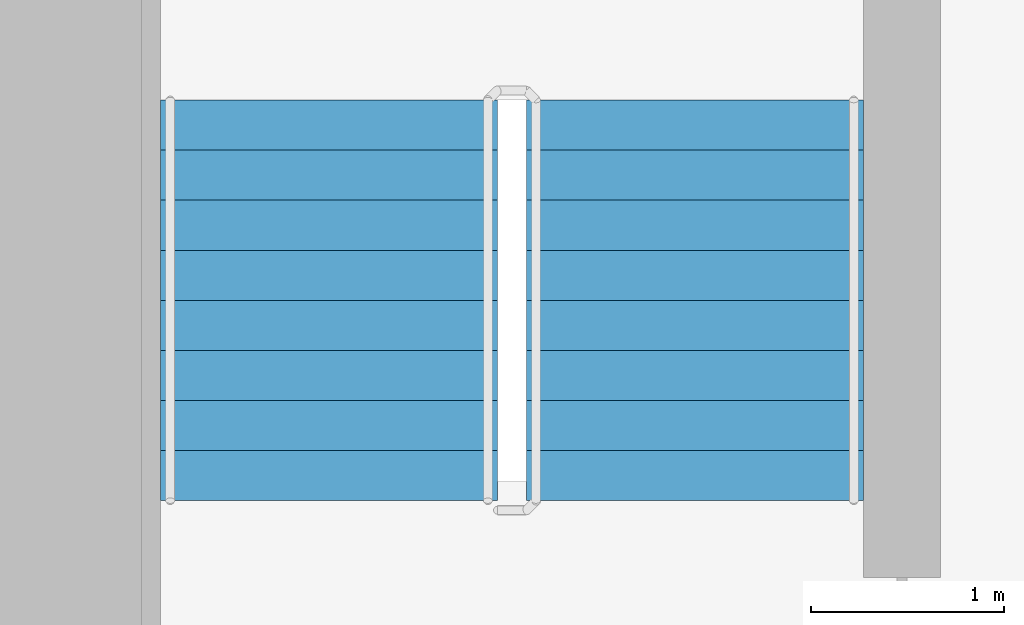
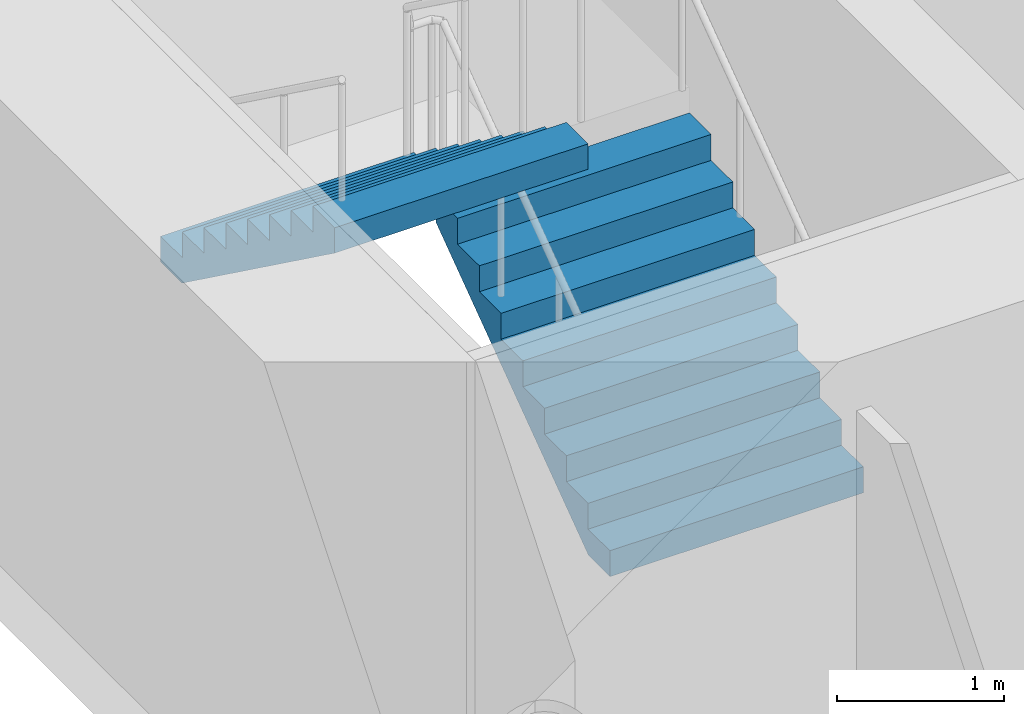
# One storey, part 19 of 21: 2 stair flights, 1 element without a shape of its own.
"""IFC4 building model written with IfcOpenShell, lengths in metres."""

from ifc_helpers import new_model, si_unit, direction, frame, origin, place, context, subcontext, project, spatial, faceted_brep, material, type_object, element, aggregate, save


model = new_model("IFC4")

# Units and contexts
model_context = context("Model", 3, precision=1e-05, world=origin(), true_north=direction((0.0, 1.0)))
body_context = subcontext(model_context, "Body", "Model", "MODEL_VIEW")
ifc_project = project(units=[si_unit("LENGTHUNIT", "METRE"), si_unit("AREAUNIT", "SQUARE_METRE"), si_unit("VOLUMEUNIT", "CUBIC_METRE"), si_unit("PLANEANGLEUNIT", "RADIAN"), si_unit("MASSUNIT", "GRAM", prefix="KILO")], contexts=[model_context])

# Site, building, storey
site_placement = place(None, origin())
site = spatial("IfcSite", under=ifc_project, at=site_placement, CompositionType="ELEMENT")
building_placement = place(site_placement, origin())
building = spatial("IfcBuilding", under=site, at=building_placement, Name="Ipe Terrace Towers", CompositionType="ELEMENT")
storey_placement = place(building_placement, frame((0.0, 0.0, 48.300048828125)))
storey = spatial("IfcBuildingStorey", under=building, at=storey_placement, Name="L12", CompositionType="ELEMENT", Elevation=48.300048828125)

# Stair, stair flights
ifc_material_1 = material(Name="Concrete C30/37", Category="concrete")
stair_type = type_object("IfcStairType", Name="Protected exit stair", PredefinedType="HALF_TURN_STAIR", material=ifc_material_1)
stair_placement = place(storey_placement, origin())
stair = element("IfcStair", 1, at=stair_placement, inside=storey, type_object=stair_type, Name="L12 Exit stair T2-C1", PredefinedType="HALF_TURN_STAIR")
ifc_material_2 = material(Name="Concrete C30/37", Category="concrete")
stair_flight_type = type_object("IfcStairFlightType", Name="Exit stair flight 1750", PredefinedType="STRAIGHT", material=ifc_material_2)
stair_flight_1_placement = place(storey_placement, frame((33.22509765625, 9.699951171875, 0.0), z_axis=(0.0, 0.0, 1.0), x_axis=(0.0, 1.0, 0.0)))
stair_flight_1 = element("IfcStairFlight", 2, at=stair_flight_1_placement, type_object=stair_flight_type, Name="T2-ST1 flight 1", NumberOfRisers=9, NumberOfTreads=8, PredefinedType="STRAIGHT", RiserHeight=0.188888889, TreadLength=0.26, context=body_context, shape_type="Brep", body=[
    faceted_brep([(0.255126953125, -0.875, 0.0), (2.080078125, -0.875, 1.325927734375), (2.080078125, -0.875, 1.51123046875), (1.820068359375, -0.875, 1.51123046875), (1.820068359375, -0.875, 1.322265625), (1.56005859375, -0.875, 1.322265625), (1.56005859375, -0.875, 1.13330078125), (1.300048828125, -0.875, 1.13330078125), (1.300048828125, -0.875, 0.9443359375), (1.0400390625, -0.875, 0.9443359375), (1.0400390625, -0.875, 0.755615234375), (0.780029296875, -0.875, 0.755615234375), (0.780029296875, -0.875, 0.566650390625), (0.52001953125, -0.875, 0.566650390625), (0.52001953125, -0.875, 0.377685546875), (0.260009765625, -0.875, 0.377685546875), (0.260009765625, -0.875, 0.18896484375), (0.0, -0.875, 0.18896484375), (0.0, -0.875, 0.0), (0.0, 0.875, 0.0), (0.0, 0.875, 0.18896484375), (0.260009765625, 0.875, 0.18896484375), (0.260009765625, 0.875, 0.377685546875), (0.52001953125, 0.875, 0.377685546875), (0.52001953125, 0.875, 0.566650390625), (0.780029296875, 0.875, 0.566650390625), (0.780029296875, 0.875, 0.755615234375), (1.0400390625, 0.875, 0.755615234375), (1.0400390625, 0.875, 0.9443359375), (1.300048828125, 0.875, 0.9443359375), (1.300048828125, 0.875, 1.13330078125), (1.56005859375, 0.875, 1.13330078125), (1.56005859375, 0.875, 1.322265625), (1.820068359375, 0.875, 1.322265625), (1.820068359375, 0.875, 1.51123046875), (2.080078125, 0.875, 1.51123046875), (2.080078125, 0.875, 1.325927734375), (0.255126953125, 0.875, 0.0), (0.0, -0.300048828125, 0.18896484375), (0.0, -0.1201171875, 0.18896484375), (0.0, -0.06005859375, 0.18896484375), (0.0, -0.030029296875, 0.18896484375), (0.0, -0.010009765625, 0.18896484375), (0.0, 0.0, 0.18896484375), (0.0, 0.010009765625, 0.18896484375), (0.0, 0.030029296875, 0.18896484375), (0.0, 0.06005859375, 0.18896484375), (0.0, 0.1201171875, 0.18896484375), (0.0, 0.300048828125, 0.18896484375), (0.0, 0.300048828125, 0.0), (0.0, 0.1201171875, 0.0), (0.0, 0.06005859375, 0.0), (0.0, 0.030029296875, 0.0), (0.0, 0.010009765625, 0.0), (0.0, 0.0, 0.0), (0.0, -0.010009765625, 0.0), (0.0, -0.030029296875, 0.0), (0.0, -0.06005859375, 0.0), (0.0, -0.1201171875, 0.0), (0.0, -0.300048828125, 0.0), (0.260009765625, -0.300048828125, 0.18896484375), (0.260009765625, -0.1201171875, 0.18896484375), (0.260009765625, -0.06005859375, 0.18896484375), (0.260009765625, -0.030029296875, 0.18896484375), (0.260009765625, -0.010009765625, 0.18896484375), (0.260009765625, 0.0, 0.18896484375), (0.260009765625, 0.010009765625, 0.18896484375), (0.260009765625, 0.030029296875, 0.18896484375), (0.260009765625, 0.06005859375, 0.18896484375), (0.260009765625, 0.1201171875, 0.18896484375), (0.260009765625, 0.300048828125, 0.18896484375), (0.260009765625, -0.300048828125, 0.377685546875), (0.260009765625, -0.1201171875, 0.377685546875), (0.260009765625, -0.06005859375, 0.377685546875), (0.260009765625, -0.030029296875, 0.377685546875), (0.260009765625, -0.010009765625, 0.377685546875), (0.260009765625, 0.0, 0.377685546875), (0.260009765625, 0.010009765625, 0.377685546875), (0.260009765625, 0.030029296875, 0.377685546875), (0.260009765625, 0.06005859375, 0.377685546875), (0.260009765625, 0.1201171875, 0.377685546875), (0.260009765625, 0.300048828125, 0.377685546875), (0.52001953125, -0.300048828125, 0.377685546875), (0.52001953125, -0.1201171875, 0.377685546875), (0.52001953125, -0.06005859375, 0.377685546875), (0.52001953125, -0.030029296875, 0.377685546875), (0.52001953125, -0.010009765625, 0.377685546875), (0.52001953125, 0.0, 0.377685546875), (0.52001953125, 0.010009765625, 0.377685546875), (0.52001953125, 0.030029296875, 0.377685546875), (0.52001953125, 0.06005859375, 0.377685546875), (0.52001953125, 0.1201171875, 0.377685546875), (0.52001953125, 0.300048828125, 0.377685546875), (0.52001953125, -0.300048828125, 0.566650390625), (0.52001953125, -0.1201171875, 0.566650390625), (0.52001953125, -0.06005859375, 0.566650390625), (0.52001953125, -0.030029296875, 0.566650390625), (0.52001953125, -0.010009765625, 0.566650390625), (0.52001953125, 0.0, 0.566650390625), (0.52001953125, 0.010009765625, 0.566650390625), (0.52001953125, 0.030029296875, 0.566650390625), (0.52001953125, 0.06005859375, 0.566650390625), (0.52001953125, 0.1201171875, 0.566650390625), (0.52001953125, 0.300048828125, 0.566650390625), (0.780029296875, -0.300048828125, 0.566650390625), (0.780029296875, -0.1201171875, 0.566650390625), (0.780029296875, -0.06005859375, 0.566650390625), (0.780029296875, -0.030029296875, 0.566650390625), (0.780029296875, -0.010009765625, 0.566650390625), (0.780029296875, 0.0, 0.566650390625), (0.780029296875, 0.010009765625, 0.566650390625), (0.780029296875, 0.030029296875, 0.566650390625), (0.780029296875, 0.06005859375, 0.566650390625), (0.780029296875, 0.1201171875, 0.566650390625), (0.780029296875, 0.300048828125, 0.566650390625), (0.780029296875, -0.300048828125, 0.755615234375), (0.780029296875, -0.1201171875, 0.755615234375), (0.780029296875, -0.06005859375, 0.755615234375), (0.780029296875, -0.030029296875, 0.755615234375), (0.780029296875, -0.010009765625, 0.755615234375), (0.780029296875, 0.0, 0.755615234375), (0.780029296875, 0.010009765625, 0.755615234375), (0.780029296875, 0.030029296875, 0.755615234375), (0.780029296875, 0.06005859375, 0.755615234375), (0.780029296875, 0.1201171875, 0.755615234375), (0.780029296875, 0.300048828125, 0.755615234375), (1.0400390625, -0.300048828125, 0.755615234375), (1.0400390625, -0.1201171875, 0.755615234375), (1.0400390625, -0.06005859375, 0.755615234375), (1.0400390625, -0.030029296875, 0.755615234375), (1.0400390625, -0.010009765625, 0.755615234375), (1.0400390625, 0.0, 0.755615234375), (1.0400390625, 0.010009765625, 0.755615234375), (1.0400390625, 0.030029296875, 0.755615234375), (1.0400390625, 0.06005859375, 0.755615234375), (1.0400390625, 0.1201171875, 0.755615234375), (1.0400390625, 0.300048828125, 0.755615234375), (1.0400390625, -0.300048828125, 0.9443359375), (1.0400390625, -0.1201171875, 0.9443359375), (1.0400390625, -0.06005859375, 0.9443359375), (1.0400390625, -0.030029296875, 0.9443359375), (1.0400390625, -0.010009765625, 0.9443359375), (1.0400390625, 0.0, 0.9443359375), (1.0400390625, 0.010009765625, 0.9443359375), (1.0400390625, 0.030029296875, 0.9443359375), (1.0400390625, 0.06005859375, 0.9443359375), (1.0400390625, 0.1201171875, 0.9443359375), (1.0400390625, 0.300048828125, 0.9443359375), (1.300048828125, -0.300048828125, 0.9443359375), (1.300048828125, -0.1201171875, 0.9443359375), (1.300048828125, -0.06005859375, 0.9443359375), (1.300048828125, -0.030029296875, 0.9443359375), (1.300048828125, -0.010009765625, 0.9443359375), (1.300048828125, 0.0, 0.9443359375), (1.300048828125, 0.010009765625, 0.9443359375), (1.300048828125, 0.030029296875, 0.9443359375), (1.300048828125, 0.06005859375, 0.9443359375), (1.300048828125, 0.1201171875, 0.9443359375), (1.300048828125, 0.300048828125, 0.9443359375), (1.300048828125, -0.300048828125, 1.13330078125), (1.300048828125, -0.1201171875, 1.13330078125), (1.300048828125, -0.06005859375, 1.13330078125), (1.300048828125, -0.030029296875, 1.13330078125), (1.300048828125, -0.010009765625, 1.13330078125), (1.300048828125, 0.0, 1.13330078125), (1.300048828125, 0.010009765625, 1.13330078125), (1.300048828125, 0.030029296875, 1.13330078125), (1.300048828125, 0.06005859375, 1.13330078125), (1.300048828125, 0.1201171875, 1.13330078125), (1.300048828125, 0.300048828125, 1.13330078125), (1.56005859375, -0.300048828125, 1.13330078125), (1.56005859375, -0.1201171875, 1.13330078125), (1.56005859375, -0.06005859375, 1.13330078125), (1.56005859375, -0.030029296875, 1.13330078125), (1.56005859375, -0.010009765625, 1.13330078125), (1.56005859375, 0.0, 1.13330078125), (1.56005859375, 0.010009765625, 1.13330078125), (1.56005859375, 0.030029296875, 1.13330078125), (1.56005859375, 0.06005859375, 1.13330078125), (1.56005859375, 0.1201171875, 1.13330078125), (1.56005859375, 0.300048828125, 1.13330078125), (1.56005859375, -0.300048828125, 1.322265625), (1.56005859375, -0.1201171875, 1.322265625), (1.56005859375, -0.06005859375, 1.322265625), (1.56005859375, -0.030029296875, 1.322265625), (1.56005859375, -0.010009765625, 1.322265625), (1.56005859375, 0.0, 1.322265625), (1.56005859375, 0.010009765625, 1.322265625), (1.56005859375, 0.030029296875, 1.322265625), (1.56005859375, 0.06005859375, 1.322265625), (1.56005859375, 0.1201171875, 1.322265625), (1.56005859375, 0.300048828125, 1.322265625), (1.820068359375, -0.300048828125, 1.322265625), (1.820068359375, -0.1201171875, 1.322265625), (1.820068359375, -0.06005859375, 1.322265625), (1.820068359375, -0.030029296875, 1.322265625), (1.820068359375, -0.010009765625, 1.322265625), (1.820068359375, 0.0, 1.322265625), (1.820068359375, 0.010009765625, 1.322265625), (1.820068359375, 0.030029296875, 1.322265625), (1.820068359375, 0.06005859375, 1.322265625), (1.820068359375, 0.1201171875, 1.322265625), (1.820068359375, 0.300048828125, 1.322265625), (1.820068359375, -0.300048828125, 1.51123046875), (1.820068359375, -0.1201171875, 1.51123046875), (1.820068359375, -0.06005859375, 1.51123046875), (1.820068359375, -0.030029296875, 1.51123046875), (1.820068359375, -0.010009765625, 1.51123046875), (1.820068359375, 0.0, 1.51123046875), (1.820068359375, 0.010009765625, 1.51123046875), (1.820068359375, 0.030029296875, 1.51123046875), (1.820068359375, 0.06005859375, 1.51123046875), (1.820068359375, 0.1201171875, 1.51123046875), (1.820068359375, 0.300048828125, 1.51123046875), (2.080078125, -0.300048828125, 1.51123046875), (2.080078125, -0.1201171875, 1.51123046875), (2.080078125, -0.06005859375, 1.51123046875), (2.080078125, -0.030029296875, 1.51123046875), (2.080078125, -0.010009765625, 1.51123046875), (2.080078125, 0.0, 1.51123046875), (2.080078125, 0.010009765625, 1.51123046875), (2.080078125, 0.030029296875, 1.51123046875), (2.080078125, 0.06005859375, 1.51123046875), (2.080078125, 0.1201171875, 1.51123046875), (2.080078125, 0.300048828125, 1.51123046875), (2.080078125, -0.300048828125, 1.325927734375), (2.080078125, -0.1201171875, 1.325927734375), (2.080078125, -0.06005859375, 1.325927734375), (2.080078125, -0.030029296875, 1.325927734375), (2.080078125, -0.010009765625, 1.325927734375), (2.080078125, 0.0, 1.325927734375), (2.080078125, 0.010009765625, 1.325927734375), (2.080078125, 0.030029296875, 1.325927734375), (2.080078125, 0.06005859375, 1.325927734375), (2.080078125, 0.1201171875, 1.325927734375), (2.080078125, 0.300048828125, 1.325927734375), (0.255126953125, -0.300048828125, 0.0), (0.255126953125, -0.1201171875, 0.0), (0.255126953125, -0.06005859375, 0.0), (0.255126953125, -0.030029296875, 0.0), (0.255126953125, -0.010009765625, 0.0), (0.255126953125, 0.0, 0.0), (0.255126953125, 0.010009765625, 0.0), (0.255126953125, 0.030029296875, 0.0), (0.255126953125, 0.06005859375, 0.0), (0.255126953125, 0.1201171875, 0.0), (0.255126953125, 0.300048828125, 0.0)], [[[0, 1, 2, 3, 4, 5, 6, 7, 8, 9, 10, 11, 12, 13, 14, 15, 16, 17, 18]], [[19, 20, 21, 22, 23, 24, 25, 26, 27, 28, 29, 30, 31, 32, 33, 34, 35, 36, 37]], [[17, 38, 39, 40, 41, 42, 43, 44, 45, 46, 47, 48, 20, 19, 49, 50, 51, 52, 53, 54, 55, 56, 57, 58, 59, 18]], [[16, 60, 61, 62, 63, 64, 65, 66, 67, 68, 69, 70, 21, 20, 48, 47, 46, 45, 44, 43, 42, 41, 40, 39, 38, 17]], [[15, 71, 72, 73, 74, 75, 76, 77, 78, 79, 80, 81, 22, 21, 70, 69, 68, 67, 66, 65, 64, 63, 62, 61, 60, 16]], [[14, 82, 83, 84, 85, 86, 87, 88, 89, 90, 91, 92, 23, 22, 81, 80, 79, 78, 77, 76, 75, 74, 73, 72, 71, 15]], [[13, 93, 94, 95, 96, 97, 98, 99, 100, 101, 102, 103, 24, 23, 92, 91, 90, 89, 88, 87, 86, 85, 84, 83, 82, 14]], [[12, 104, 105, 106, 107, 108, 109, 110, 111, 112, 113, 114, 25, 24, 103, 102, 101, 100, 99, 98, 97, 96, 95, 94, 93, 13]], [[11, 115, 116, 117, 118, 119, 120, 121, 122, 123, 124, 125, 26, 25, 114, 113, 112, 111, 110, 109, 108, 107, 106, 105, 104, 12]], [[10, 126, 127, 128, 129, 130, 131, 132, 133, 134, 135, 136, 27, 26, 125, 124, 123, 122, 121, 120, 119, 118, 117, 116, 115, 11]], [[9, 137, 138, 139, 140, 141, 142, 143, 144, 145, 146, 147, 28, 27, 136, 135, 134, 133, 132, 131, 130, 129, 128, 127, 126, 10]], [[8, 148, 149, 150, 151, 152, 153, 154, 155, 156, 157, 158, 29, 28, 147, 146, 145, 144, 143, 142, 141, 140, 139, 138, 137, 9]], [[7, 159, 160, 161, 162, 163, 164, 165, 166, 167, 168, 169, 30, 29, 158, 157, 156, 155, 154, 153, 152, 151, 150, 149, 148, 8]], [[6, 170, 171, 172, 173, 174, 175, 176, 177, 178, 179, 180, 31, 30, 169, 168, 167, 166, 165, 164, 163, 162, 161, 160, 159, 7]], [[5, 181, 182, 183, 184, 185, 186, 187, 188, 189, 190, 191, 32, 31, 180, 179, 178, 177, 176, 175, 174, 173, 172, 171, 170, 6]], [[4, 192, 193, 194, 195, 196, 197, 198, 199, 200, 201, 202, 33, 32, 191, 190, 189, 188, 187, 186, 185, 184, 183, 182, 181, 5]], [[3, 203, 204, 205, 206, 207, 208, 209, 210, 211, 212, 213, 34, 33, 202, 201, 200, 199, 198, 197, 196, 195, 194, 193, 192, 4]], [[2, 214, 215, 216, 217, 218, 219, 220, 221, 222, 223, 224, 35, 34, 213, 212, 211, 210, 209, 208, 207, 206, 205, 204, 203, 3]], [[1, 225, 226, 227, 228, 229, 230, 231, 232, 233, 234, 235, 36, 35, 224, 223, 222, 221, 220, 219, 218, 217, 216, 215, 214, 2]], [[0, 236, 237, 238, 239, 240, 241, 242, 243, 244, 245, 246, 37, 36, 235, 234, 233, 232, 231, 230, 229, 228, 227, 226, 225, 1]], [[18, 59, 58, 57, 56, 55, 54, 53, 52, 51, 50, 49, 19, 37, 246, 245, 244, 243, 242, 241, 240, 239, 238, 237, 236, 0]]]),
])
stair_flight_2_placement = place(storey_placement, frame((31.324951171875, 11.780029296875, 1.699951171875), z_axis=(0.0, 0.0, 1.0), x_axis=(0.0, -1.0, 0.0)))
stair_flight_2 = element("IfcStairFlight", 3, at=stair_flight_2_placement, type_object=stair_flight_type, Name="T2-ST1 flight 2", NumberOfRisers=9, NumberOfTreads=8, PredefinedType="STRAIGHT", RiserHeight=0.188888889, TreadLength=0.26, context=body_context, shape_type="Brep", body=[
    faceted_brep([(0.255126953125, -0.875, 0.0), (2.080078125, -0.875, 1.325927734375), (2.080078125, -0.875, 1.51123046875), (1.820068359375, -0.875, 1.51123046875), (1.820068359375, -0.875, 1.322265625), (1.56005859375, -0.875, 1.322265625), (1.56005859375, -0.875, 1.13330078125), (1.300048828125, -0.875, 1.13330078125), (1.300048828125, -0.875, 0.9443359375), (1.0400390625, -0.875, 0.9443359375), (1.0400390625, -0.875, 0.755615234375), (0.780029296875, -0.875, 0.755615234375), (0.780029296875, -0.875, 0.566650390625), (0.52001953125, -0.875, 0.566650390625), (0.52001953125, -0.875, 0.377685546875), (0.260009765625, -0.875, 0.377685546875), (0.260009765625, -0.875, 0.18896484375), (0.0, -0.875, 0.18896484375), (0.0, -0.875, 0.0), (0.0, 0.875, 0.0), (0.0, 0.875, 0.18896484375), (0.260009765625, 0.875, 0.18896484375), (0.260009765625, 0.875, 0.377685546875), (0.52001953125, 0.875, 0.377685546875), (0.52001953125, 0.875, 0.566650390625), (0.780029296875, 0.875, 0.566650390625), (0.780029296875, 0.875, 0.755615234375), (1.0400390625, 0.875, 0.755615234375), (1.0400390625, 0.875, 0.9443359375), (1.300048828125, 0.875, 0.9443359375), (1.300048828125, 0.875, 1.13330078125), (1.56005859375, 0.875, 1.13330078125), (1.56005859375, 0.875, 1.322265625), (1.820068359375, 0.875, 1.322265625), (1.820068359375, 0.875, 1.51123046875), (2.080078125, 0.875, 1.51123046875), (2.080078125, 0.875, 1.325927734375), (0.255126953125, 0.875, 0.0), (0.0, -0.300048828125, 0.18896484375), (0.0, -0.1201171875, 0.18896484375), (0.0, -0.06005859375, 0.18896484375), (0.0, -0.030029296875, 0.18896484375), (0.0, -0.010009765625, 0.18896484375), (0.0, 0.0, 0.18896484375), (0.0, 0.010009765625, 0.18896484375), (0.0, 0.030029296875, 0.18896484375), (0.0, 0.06005859375, 0.18896484375), (0.0, 0.1201171875, 0.18896484375), (0.0, 0.300048828125, 0.18896484375), (0.0, 0.300048828125, 0.0), (0.0, 0.1201171875, 0.0), (0.0, 0.06005859375, 0.0), (0.0, 0.030029296875, 0.0), (0.0, 0.010009765625, 0.0), (0.0, 0.0, 0.0), (0.0, -0.010009765625, 0.0), (0.0, -0.030029296875, 0.0), (0.0, -0.06005859375, 0.0), (0.0, -0.1201171875, 0.0), (0.0, -0.300048828125, 0.0), (0.260009765625, -0.300048828125, 0.18896484375), (0.260009765625, -0.1201171875, 0.18896484375), (0.260009765625, -0.06005859375, 0.18896484375), (0.260009765625, -0.030029296875, 0.18896484375), (0.260009765625, -0.010009765625, 0.18896484375), (0.260009765625, 0.0, 0.18896484375), (0.260009765625, 0.010009765625, 0.18896484375), (0.260009765625, 0.030029296875, 0.18896484375), (0.260009765625, 0.06005859375, 0.18896484375), (0.260009765625, 0.1201171875, 0.18896484375), (0.260009765625, 0.300048828125, 0.18896484375), (0.260009765625, -0.300048828125, 0.377685546875), (0.260009765625, -0.1201171875, 0.377685546875), (0.260009765625, -0.06005859375, 0.377685546875), (0.260009765625, -0.030029296875, 0.377685546875), (0.260009765625, -0.010009765625, 0.377685546875), (0.260009765625, 0.0, 0.377685546875), (0.260009765625, 0.010009765625, 0.377685546875), (0.260009765625, 0.030029296875, 0.377685546875), (0.260009765625, 0.06005859375, 0.377685546875), (0.260009765625, 0.1201171875, 0.377685546875), (0.260009765625, 0.300048828125, 0.377685546875), (0.52001953125, -0.300048828125, 0.377685546875), (0.52001953125, -0.1201171875, 0.377685546875), (0.52001953125, -0.06005859375, 0.377685546875), (0.52001953125, -0.030029296875, 0.377685546875), (0.52001953125, -0.010009765625, 0.377685546875), (0.52001953125, 0.0, 0.377685546875), (0.52001953125, 0.010009765625, 0.377685546875), (0.52001953125, 0.030029296875, 0.377685546875), (0.52001953125, 0.06005859375, 0.377685546875), (0.52001953125, 0.1201171875, 0.377685546875), (0.52001953125, 0.300048828125, 0.377685546875), (0.52001953125, -0.300048828125, 0.566650390625), (0.52001953125, -0.1201171875, 0.566650390625), (0.52001953125, -0.06005859375, 0.566650390625), (0.52001953125, -0.030029296875, 0.566650390625), (0.52001953125, -0.010009765625, 0.566650390625), (0.52001953125, 0.0, 0.566650390625), (0.52001953125, 0.010009765625, 0.566650390625), (0.52001953125, 0.030029296875, 0.566650390625), (0.52001953125, 0.06005859375, 0.566650390625), (0.52001953125, 0.1201171875, 0.566650390625), (0.52001953125, 0.300048828125, 0.566650390625), (0.780029296875, -0.300048828125, 0.566650390625), (0.780029296875, -0.1201171875, 0.566650390625), (0.780029296875, -0.06005859375, 0.566650390625), (0.780029296875, -0.030029296875, 0.566650390625), (0.780029296875, -0.010009765625, 0.566650390625), (0.780029296875, 0.0, 0.566650390625), (0.780029296875, 0.010009765625, 0.566650390625), (0.780029296875, 0.030029296875, 0.566650390625), (0.780029296875, 0.06005859375, 0.566650390625), (0.780029296875, 0.1201171875, 0.566650390625), (0.780029296875, 0.300048828125, 0.566650390625), (0.780029296875, -0.300048828125, 0.755615234375), (0.780029296875, -0.1201171875, 0.755615234375), (0.780029296875, -0.06005859375, 0.755615234375), (0.780029296875, -0.030029296875, 0.755615234375), (0.780029296875, -0.010009765625, 0.755615234375), (0.780029296875, 0.0, 0.755615234375), (0.780029296875, 0.010009765625, 0.755615234375), (0.780029296875, 0.030029296875, 0.755615234375), (0.780029296875, 0.06005859375, 0.755615234375), (0.780029296875, 0.1201171875, 0.755615234375), (0.780029296875, 0.300048828125, 0.755615234375), (1.0400390625, -0.300048828125, 0.755615234375), (1.0400390625, -0.1201171875, 0.755615234375), (1.0400390625, -0.06005859375, 0.755615234375), (1.0400390625, -0.030029296875, 0.755615234375), (1.0400390625, -0.010009765625, 0.755615234375), (1.0400390625, 0.0, 0.755615234375), (1.0400390625, 0.010009765625, 0.755615234375), (1.0400390625, 0.030029296875, 0.755615234375), (1.0400390625, 0.06005859375, 0.755615234375), (1.0400390625, 0.1201171875, 0.755615234375), (1.0400390625, 0.300048828125, 0.755615234375), (1.0400390625, -0.300048828125, 0.9443359375), (1.0400390625, -0.1201171875, 0.9443359375), (1.0400390625, -0.06005859375, 0.9443359375), (1.0400390625, -0.030029296875, 0.9443359375), (1.0400390625, -0.010009765625, 0.9443359375), (1.0400390625, 0.0, 0.9443359375), (1.0400390625, 0.010009765625, 0.9443359375), (1.0400390625, 0.030029296875, 0.9443359375), (1.0400390625, 0.06005859375, 0.9443359375), (1.0400390625, 0.1201171875, 0.9443359375), (1.0400390625, 0.300048828125, 0.9443359375), (1.300048828125, -0.300048828125, 0.9443359375), (1.300048828125, -0.1201171875, 0.9443359375), (1.300048828125, -0.06005859375, 0.9443359375), (1.300048828125, -0.030029296875, 0.9443359375), (1.300048828125, -0.010009765625, 0.9443359375), (1.300048828125, 0.0, 0.9443359375), (1.300048828125, 0.010009765625, 0.9443359375), (1.300048828125, 0.030029296875, 0.9443359375), (1.300048828125, 0.06005859375, 0.9443359375), (1.300048828125, 0.1201171875, 0.9443359375), (1.300048828125, 0.300048828125, 0.9443359375), (1.300048828125, -0.300048828125, 1.13330078125), (1.300048828125, -0.1201171875, 1.13330078125), (1.300048828125, -0.06005859375, 1.13330078125), (1.300048828125, -0.030029296875, 1.13330078125), (1.300048828125, -0.010009765625, 1.13330078125), (1.300048828125, 0.0, 1.13330078125), (1.300048828125, 0.010009765625, 1.13330078125), (1.300048828125, 0.030029296875, 1.13330078125), (1.300048828125, 0.06005859375, 1.13330078125), (1.300048828125, 0.1201171875, 1.13330078125), (1.300048828125, 0.300048828125, 1.13330078125), (1.56005859375, -0.300048828125, 1.13330078125), (1.56005859375, -0.1201171875, 1.13330078125), (1.56005859375, -0.06005859375, 1.13330078125), (1.56005859375, -0.030029296875, 1.13330078125), (1.56005859375, -0.010009765625, 1.13330078125), (1.56005859375, 0.0, 1.13330078125), (1.56005859375, 0.010009765625, 1.13330078125), (1.56005859375, 0.030029296875, 1.13330078125), (1.56005859375, 0.06005859375, 1.13330078125), (1.56005859375, 0.1201171875, 1.13330078125), (1.56005859375, 0.300048828125, 1.13330078125), (1.56005859375, -0.300048828125, 1.322265625), (1.56005859375, -0.1201171875, 1.322265625), (1.56005859375, -0.06005859375, 1.322265625), (1.56005859375, -0.030029296875, 1.322265625), (1.56005859375, -0.010009765625, 1.322265625), (1.56005859375, 0.0, 1.322265625), (1.56005859375, 0.010009765625, 1.322265625), (1.56005859375, 0.030029296875, 1.322265625), (1.56005859375, 0.06005859375, 1.322265625), (1.56005859375, 0.1201171875, 1.322265625), (1.56005859375, 0.300048828125, 1.322265625), (1.820068359375, -0.300048828125, 1.322265625), (1.820068359375, -0.1201171875, 1.322265625), (1.820068359375, -0.06005859375, 1.322265625), (1.820068359375, -0.030029296875, 1.322265625), (1.820068359375, -0.010009765625, 1.322265625), (1.820068359375, 0.0, 1.322265625), (1.820068359375, 0.010009765625, 1.322265625), (1.820068359375, 0.030029296875, 1.322265625), (1.820068359375, 0.06005859375, 1.322265625), (1.820068359375, 0.1201171875, 1.322265625), (1.820068359375, 0.300048828125, 1.322265625), (1.820068359375, -0.300048828125, 1.51123046875), (1.820068359375, -0.1201171875, 1.51123046875), (1.820068359375, -0.06005859375, 1.51123046875), (1.820068359375, -0.030029296875, 1.51123046875), (1.820068359375, -0.010009765625, 1.51123046875), (1.820068359375, 0.0, 1.51123046875), (1.820068359375, 0.010009765625, 1.51123046875), (1.820068359375, 0.030029296875, 1.51123046875), (1.820068359375, 0.06005859375, 1.51123046875), (1.820068359375, 0.1201171875, 1.51123046875), (1.820068359375, 0.300048828125, 1.51123046875), (2.080078125, -0.300048828125, 1.51123046875), (2.080078125, -0.1201171875, 1.51123046875), (2.080078125, -0.06005859375, 1.51123046875), (2.080078125, -0.030029296875, 1.51123046875), (2.080078125, -0.010009765625, 1.51123046875), (2.080078125, 0.0, 1.51123046875), (2.080078125, 0.010009765625, 1.51123046875), (2.080078125, 0.030029296875, 1.51123046875), (2.080078125, 0.06005859375, 1.51123046875), (2.080078125, 0.1201171875, 1.51123046875), (2.080078125, 0.300048828125, 1.51123046875), (2.080078125, -0.300048828125, 1.325927734375), (2.080078125, -0.1201171875, 1.325927734375), (2.080078125, -0.06005859375, 1.325927734375), (2.080078125, -0.030029296875, 1.325927734375), (2.080078125, -0.010009765625, 1.325927734375), (2.080078125, 0.0, 1.325927734375), (2.080078125, 0.010009765625, 1.325927734375), (2.080078125, 0.030029296875, 1.325927734375), (2.080078125, 0.06005859375, 1.325927734375), (2.080078125, 0.1201171875, 1.325927734375), (2.080078125, 0.300048828125, 1.325927734375), (0.255126953125, -0.300048828125, 0.0), (0.255126953125, -0.1201171875, 0.0), (0.255126953125, -0.06005859375, 0.0), (0.255126953125, -0.030029296875, 0.0), (0.255126953125, -0.010009765625, 0.0), (0.255126953125, 0.0, 0.0), (0.255126953125, 0.010009765625, 0.0), (0.255126953125, 0.030029296875, 0.0), (0.255126953125, 0.06005859375, 0.0), (0.255126953125, 0.1201171875, 0.0), (0.255126953125, 0.300048828125, 0.0)], [[[0, 1, 2, 3, 4, 5, 6, 7, 8, 9, 10, 11, 12, 13, 14, 15, 16, 17, 18]], [[19, 20, 21, 22, 23, 24, 25, 26, 27, 28, 29, 30, 31, 32, 33, 34, 35, 36, 37]], [[17, 38, 39, 40, 41, 42, 43, 44, 45, 46, 47, 48, 20, 19, 49, 50, 51, 52, 53, 54, 55, 56, 57, 58, 59, 18]], [[16, 60, 61, 62, 63, 64, 65, 66, 67, 68, 69, 70, 21, 20, 48, 47, 46, 45, 44, 43, 42, 41, 40, 39, 38, 17]], [[15, 71, 72, 73, 74, 75, 76, 77, 78, 79, 80, 81, 22, 21, 70, 69, 68, 67, 66, 65, 64, 63, 62, 61, 60, 16]], [[14, 82, 83, 84, 85, 86, 87, 88, 89, 90, 91, 92, 23, 22, 81, 80, 79, 78, 77, 76, 75, 74, 73, 72, 71, 15]], [[13, 93, 94, 95, 96, 97, 98, 99, 100, 101, 102, 103, 24, 23, 92, 91, 90, 89, 88, 87, 86, 85, 84, 83, 82, 14]], [[12, 104, 105, 106, 107, 108, 109, 110, 111, 112, 113, 114, 25, 24, 103, 102, 101, 100, 99, 98, 97, 96, 95, 94, 93, 13]], [[11, 115, 116, 117, 118, 119, 120, 121, 122, 123, 124, 125, 26, 25, 114, 113, 112, 111, 110, 109, 108, 107, 106, 105, 104, 12]], [[10, 126, 127, 128, 129, 130, 131, 132, 133, 134, 135, 136, 27, 26, 125, 124, 123, 122, 121, 120, 119, 118, 117, 116, 115, 11]], [[9, 137, 138, 139, 140, 141, 142, 143, 144, 145, 146, 147, 28, 27, 136, 135, 134, 133, 132, 131, 130, 129, 128, 127, 126, 10]], [[8, 148, 149, 150, 151, 152, 153, 154, 155, 156, 157, 158, 29, 28, 147, 146, 145, 144, 143, 142, 141, 140, 139, 138, 137, 9]], [[7, 159, 160, 161, 162, 163, 164, 165, 166, 167, 168, 169, 30, 29, 158, 157, 156, 155, 154, 153, 152, 151, 150, 149, 148, 8]], [[6, 170, 171, 172, 173, 174, 175, 176, 177, 178, 179, 180, 31, 30, 169, 168, 167, 166, 165, 164, 163, 162, 161, 160, 159, 7]], [[5, 181, 182, 183, 184, 185, 186, 187, 188, 189, 190, 191, 32, 31, 180, 179, 178, 177, 176, 175, 174, 173, 172, 171, 170, 6]], [[4, 192, 193, 194, 195, 196, 197, 198, 199, 200, 201, 202, 33, 32, 191, 190, 189, 188, 187, 186, 185, 184, 183, 182, 181, 5]], [[3, 203, 204, 205, 206, 207, 208, 209, 210, 211, 212, 213, 34, 33, 202, 201, 200, 199, 198, 197, 196, 195, 194, 193, 192, 4]], [[2, 214, 215, 216, 217, 218, 219, 220, 221, 222, 223, 224, 35, 34, 213, 212, 211, 210, 209, 208, 207, 206, 205, 204, 203, 3]], [[1, 225, 226, 227, 228, 229, 230, 231, 232, 233, 234, 235, 36, 35, 224, 223, 222, 221, 220, 219, 218, 217, 216, 215, 214, 2]], [[0, 236, 237, 238, 239, 240, 241, 242, 243, 244, 245, 246, 37, 36, 235, 234, 233, 232, 231, 230, 229, 228, 227, 226, 225, 1]], [[18, 59, 58, 57, 56, 55, 54, 53, 52, 51, 50, 49, 19, 37, 246, 245, 244, 243, 242, 241, 240, 239, 238, 237, 236, 0]]]),
])
aggregate(stair, [stair_flight_1, stair_flight_2])

save(model, "model.ifc")
